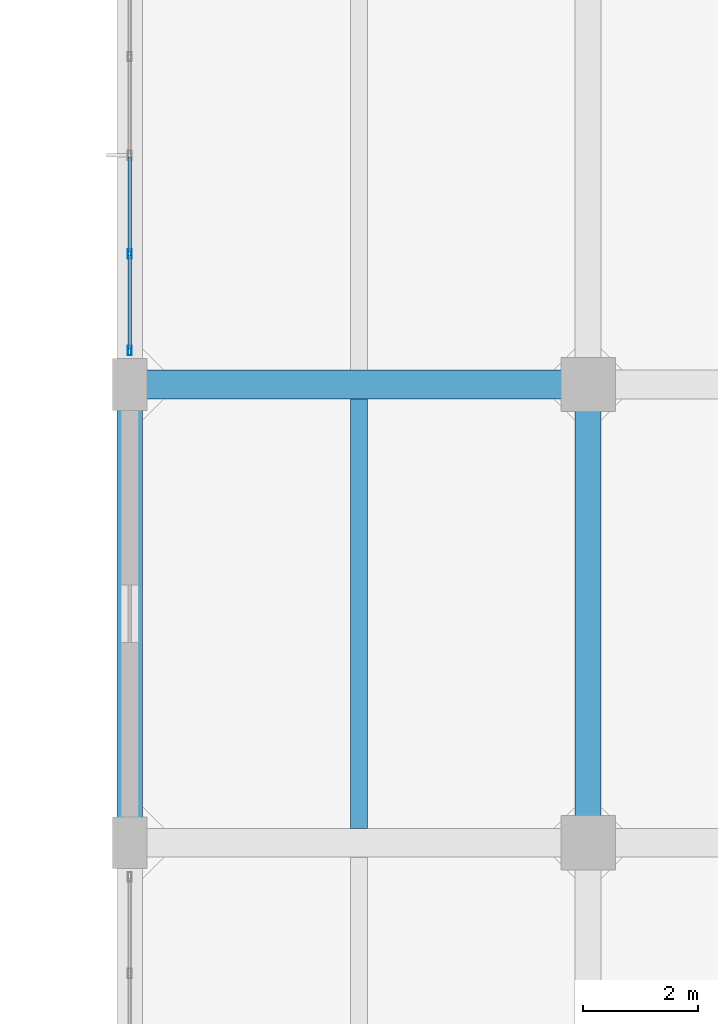
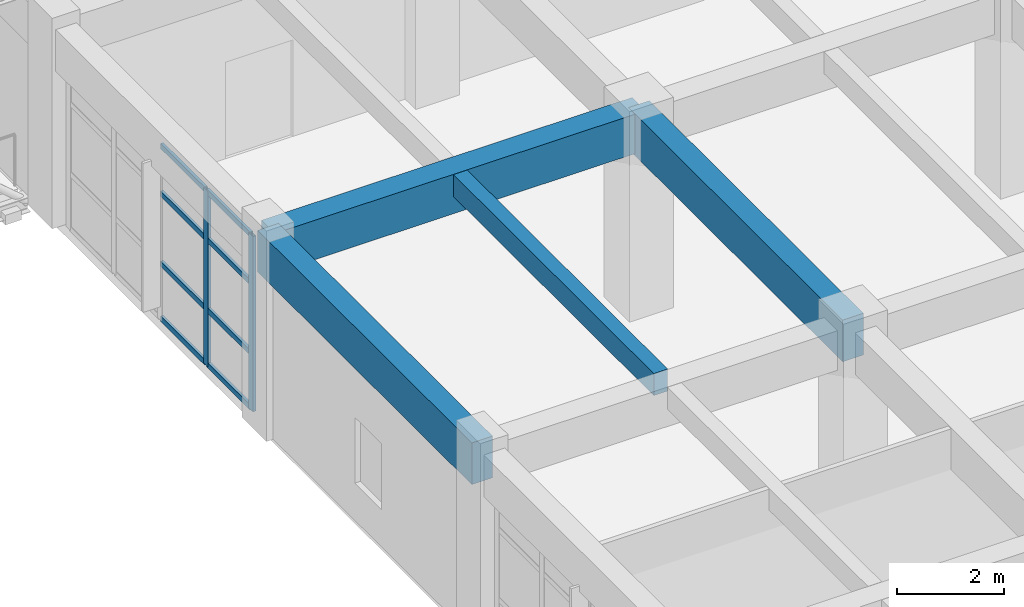
# One storey, part 110 of 248: 10 members, 4 beams, 1 element without a shape of its own.
"""IFC4 building model written with IfcOpenShell, lengths in metres."""

from ifc_helpers import new_model, si_unit, direction, frame, origin, origin_2d, place, context, subcontext, project, spatial, rectangle, hollow_rectangle, extrude, material, layer, layer_set, material_profile, profile_set, type_object, element, aggregate, save


model = new_model("IFC4")

# Units and contexts
model_context = context("Model", 3, precision=1e-05, world=origin(), true_north=direction((0.0, 1.0)))
body_context = subcontext(model_context, "Body", "Model", "MODEL_VIEW")
ifc_project = project(units=[si_unit("LENGTHUNIT", "METRE"), si_unit("AREAUNIT", "SQUARE_METRE"), si_unit("VOLUMEUNIT", "CUBIC_METRE"), si_unit("PLANEANGLEUNIT", "RADIAN"), si_unit("MASSUNIT", "GRAM", prefix="KILO")], contexts=[model_context])

# Site, building, storey
site_placement = place(None, origin())
site = spatial("IfcSite", under=ifc_project, at=site_placement, CompositionType="ELEMENT")
building_placement = place(site_placement, origin())
building = spatial("IfcBuilding", under=site, at=building_placement, Name="Canggui Botanical Conservatory", CompositionType="ELEMENT")
storey_placement = place(building_placement, frame((0.0, 0.0, 5.39990234375)))
storey = spatial("IfcBuildingStorey", under=building, at=storey_placement, Name="L02", CompositionType="ELEMENT", Elevation=5.39990234375)

# Beams
ifc_material_1 = material(Name="Concrete C35", Category="concrete")
ifc_material_profile_1 = material_profile(ifc_material_1, rectangle(XDim=0.300048828125, YDim=0.5, at=origin_2d()), Name="RB 300x500")
ifc_profile_set_1 = profile_set([ifc_material_profile_1], Name="Concrete C35")
beam_type_1 = type_object("IfcBeamType", Name="BM-JST02", PredefinedType="JOIST", material=ifc_profile_set_1)
beam_1_placement = place(storey_placement, frame((134.0, 58.2548828125, 4.27001953125), z_axis=(0.0, 1.0, 0.0), x_axis=(-1.0, 0.0, 0.0)))
element("IfcBeam", 1, at=beam_1_placement, inside=storey, type_object=beam_type_1, Name="Secondary Floor Joist L02-1-5", PredefinedType="JOIST", context=body_context, shape_type="SweptSolid", body=[
    extrude(rectangle(XDim=0.300048828125, YDim=0.5, at=origin_2d()), origin(), (0.0, 0.0, 1.0), 7.490234375),
])
ifc_material_profile_2 = material_profile(ifc_material_1, rectangle(XDim=0.5, YDim=0.89990234375, at=origin_2d()), Name="RB 500x900")
ifc_profile_set_2 = profile_set([ifc_material_profile_2], Name="Concrete C35")
beam_type_2 = type_object("IfcBeamType", Name="BM-KL03", PredefinedType="BEAM", material=ifc_profile_set_2)
beam_2_placement = place(storey_placement, frame((130.0, 66.0, 4.070068359375), z_axis=(1.0, 0.0, 0.0), x_axis=(0.0, 1.0, 0.0)))
element("IfcBeam", 2, at=beam_2_placement, inside=storey, type_object=beam_type_2, Name="Frame Girder L02 Y66-1", PredefinedType="BEAM", context=body_context, shape_type="SweptSolid", body=[
    extrude(rectangle(XDim=0.5, YDim=0.89990234375, at=origin_2d()), origin(), (0.0, 0.0, 1.0), 8.0),
])
ifc_material_profile_3 = material_profile(ifc_material_1, rectangle(XDim=0.449951171875, YDim=0.949951171875, at=origin_2d()), Name="RB 450x950")
ifc_profile_set_3 = profile_set([ifc_material_profile_3], Name="Concrete C35")
beam_type_3 = type_object("IfcBeamType", Name="BM-KL04", PredefinedType="BEAM", material=ifc_profile_set_3)
for number, where, z_axis, x_axis, name in (
    (3, (130.0, 58.0, 4.045166015625), (0.0, 1.0, 0.0), (-1.0, 0.0, 0.0), "Frame Girder L02 X130-5"),
    (4, (138.0, 58.0, 4.045166015625), (0.0, 1.0, 0.0), (-1.0, 0.0, 0.0), "Frame Girder L02 X138-5"),
):
    element("IfcBeam", number, at=place(storey_placement, frame(where, z_axis=z_axis, x_axis=x_axis)), inside=storey, type_object=beam_type_3, Name=name, PredefinedType="BEAM", context=body_context, shape_type="SweptSolid", body=[
        extrude(rectangle(XDim=0.449951171875, YDim=0.949951171875, at=origin_2d()), origin(), (0.0, 0.0, 1.0), 8.0),
    ])

# Curtain wall, members
ifc_material_2 = material(Name="Thermally Broken Aluminium", Category="aluminium")
ifc_layer = layer(ifc_material_2, 0.1650390625, Name="Thermally Broken Aluminium", Category="aluminium")
ifc_layer_set = layer_set([ifc_layer], Name="Thermally Broken Aluminium")
curtain_wall_type = type_object("IfcCurtainWallType", Name="CW-UNIT-B", PredefinedType="USERDEFINED", material=ifc_layer_set)
curtain_wall_placement = place(storey_placement, origin())
curtain_wall = element("IfcCurtainWall", 5, at=curtain_wall_placement, inside=storey, type_object=curtain_wall_type, Name="Facade Curtain Wall CW-TWR-L02-12", ObjectType="UNITISED CURTAIN WALL", PredefinedType="USERDEFINED")
ifc_material_profile_4 = material_profile(ifc_material_2, hollow_rectangle(XDim=0.06494140625, YDim=0.1650390625, WallThickness=0.00390625, at=origin_2d()), Name="CWM 65x165x4")
ifc_profile_set_4 = profile_set([ifc_material_profile_4], Name="Thermally Broken Aluminium")
member_type_1 = type_object("IfcMemberType", Name="CWM-02", PredefinedType="MULLION", material=ifc_profile_set_4)
member_1_placement = place(storey_placement, frame((130.0, 66.592529296875, 0.0), z_axis=(0.0, 0.0, 1.0), x_axis=(-1.0, 0.0, 0.0)))
member_1 = element("IfcMember", 6, at=member_1_placement, type_object=member_type_1, Name="CW-02 mullion 1", PredefinedType="MULLION", context=body_context, shape_type="SweptSolid", body=[
    extrude(hollow_rectangle(XDim=0.06494140625, YDim=0.1650390625, WallThickness=0.00390625, at=origin_2d()), origin(), (0.0, 0.0, 1.0), 4.0),
])
member_2_placement = place(storey_placement, frame((130.0, 68.280029296875, 0.0), z_axis=(0.0, 0.0, 1.0), x_axis=(-1.0, 0.0, 0.0)))
member_2 = element("IfcMember", 7, at=member_2_placement, type_object=member_type_1, Name="CW-02 mullion 2", PredefinedType="MULLION", context=body_context, shape_type="SweptSolid", body=[
    extrude(hollow_rectangle(XDim=0.06494140625, YDim=0.1650390625, WallThickness=0.00390625, at=origin_2d()), origin(), (0.0, 0.0, 1.0), 4.0),
])
ifc_material_profile_5 = material_profile(ifc_material_2, hollow_rectangle(XDim=0.06005859375, YDim=0.1201171875, WallThickness=0.00341796875, at=origin_2d()), Name="CWT 60x120x3.5")
ifc_profile_set_5 = profile_set([ifc_material_profile_5], Name="Thermally Broken Aluminium")
member_type_2 = type_object("IfcMemberType", Name="CWT-02", PredefinedType="USERDEFINED", material=ifc_profile_set_5)
member_3_placement = place(storey_placement, frame((130.0, 66.625, 0.030029296875), z_axis=(0.0, 1.0, 0.0), x_axis=(-1.0, 0.0, 0.0)))
member_3 = element("IfcMember", 8, at=member_3_placement, type_object=member_type_2, Name="CW-02 transom 1.1", ObjectType="TRANSOM", PredefinedType="USERDEFINED", context=body_context, shape_type="SweptSolid", body=[
    extrude(hollow_rectangle(XDim=0.06005859375, YDim=0.1201171875, WallThickness=0.00341796875, at=origin_2d()), origin(), (0.0, 0.0, 1.0), 1.62255859375),
])
member_4_placement = place(storey_placement, frame((130.0, 66.625, 1.280029296875), z_axis=(0.0, 1.0, 0.0), x_axis=(-1.0, 0.0, 0.0)))
member_4 = element("IfcMember", 9, at=member_4_placement, type_object=member_type_2, Name="CW-02 transom 1.2", ObjectType="TRANSOM", PredefinedType="USERDEFINED", context=body_context, shape_type="SweptSolid", body=[
    extrude(hollow_rectangle(XDim=0.06005859375, YDim=0.1201171875, WallThickness=0.00341796875, at=origin_2d()), origin(), (0.0, 0.0, 1.0), 1.62255859375),
])
member_5_placement = place(storey_placement, frame((130.0, 66.625, 2.880126953125), z_axis=(0.0, 1.0, 0.0), x_axis=(-1.0, 0.0, 0.0)))
member_5 = element("IfcMember", 10, at=member_5_placement, type_object=member_type_2, Name="CW-02 transom 1.3", ObjectType="TRANSOM", PredefinedType="USERDEFINED", context=body_context, shape_type="SweptSolid", body=[
    extrude(hollow_rectangle(XDim=0.06005859375, YDim=0.1201171875, WallThickness=0.00341796875, at=origin_2d()), origin(), (0.0, 0.0, 1.0), 1.62255859375),
])
member_6_placement = place(storey_placement, frame((130.0, 66.625, 3.97021484375), z_axis=(0.0, 1.0, 0.0), x_axis=(-1.0, 0.0, 0.0)))
member_6 = element("IfcMember", 11, at=member_6_placement, type_object=member_type_2, Name="CW-02 transom 1.4", ObjectType="TRANSOM", PredefinedType="USERDEFINED", context=body_context, shape_type="SweptSolid", body=[
    extrude(hollow_rectangle(XDim=0.06005859375, YDim=0.1201171875, WallThickness=0.00341796875, at=origin_2d()), origin(), (0.0, 0.0, 1.0), 1.62255859375),
])
member_7_placement = place(storey_placement, frame((130.0, 68.3125, 0.030029296875), z_axis=(0.0, 1.0, 0.0), x_axis=(-1.0, 0.0, 0.0)))
member_7 = element("IfcMember", 12, at=member_7_placement, type_object=member_type_2, Name="CW-02 transom 2.1", ObjectType="TRANSOM", PredefinedType="USERDEFINED", context=body_context, shape_type="SweptSolid", body=[
    extrude(hollow_rectangle(XDim=0.06005859375, YDim=0.1201171875, WallThickness=0.00341796875, at=origin_2d()), origin(), (0.0, 0.0, 1.0), 1.655029296875),
])
member_8_placement = place(storey_placement, frame((130.0, 68.3125, 1.280029296875), z_axis=(0.0, 1.0, 0.0), x_axis=(-1.0, 0.0, 0.0)))
member_8 = element("IfcMember", 13, at=member_8_placement, type_object=member_type_2, Name="CW-02 transom 2.2", ObjectType="TRANSOM", PredefinedType="USERDEFINED", context=body_context, shape_type="SweptSolid", body=[
    extrude(hollow_rectangle(XDim=0.06005859375, YDim=0.1201171875, WallThickness=0.00341796875, at=origin_2d()), origin(), (0.0, 0.0, 1.0), 1.655029296875),
])
member_9_placement = place(storey_placement, frame((130.0, 68.3125, 2.880126953125), z_axis=(0.0, 1.0, 0.0), x_axis=(-1.0, 0.0, 0.0)))
member_9 = element("IfcMember", 14, at=member_9_placement, type_object=member_type_2, Name="CW-02 transom 2.3", ObjectType="TRANSOM", PredefinedType="USERDEFINED", context=body_context, shape_type="SweptSolid", body=[
    extrude(hollow_rectangle(XDim=0.06005859375, YDim=0.1201171875, WallThickness=0.00341796875, at=origin_2d()), origin(), (0.0, 0.0, 1.0), 1.655029296875),
])
member_10_placement = place(storey_placement, frame((130.0, 68.3125, 3.97021484375), z_axis=(0.0, 1.0, 0.0), x_axis=(-1.0, 0.0, 0.0)))
member_10 = element("IfcMember", 15, at=member_10_placement, type_object=member_type_2, Name="CW-02 transom 2.4", ObjectType="TRANSOM", PredefinedType="USERDEFINED", context=body_context, shape_type="SweptSolid", body=[
    extrude(hollow_rectangle(XDim=0.06005859375, YDim=0.1201171875, WallThickness=0.00341796875, at=origin_2d()), origin(), (0.0, 0.0, 1.0), 1.655029296875),
])
aggregate(curtain_wall, [member_1, member_2, member_3, member_4, member_5, member_6, member_7, member_8, member_9, member_10])

save(model, "model.ifc")
